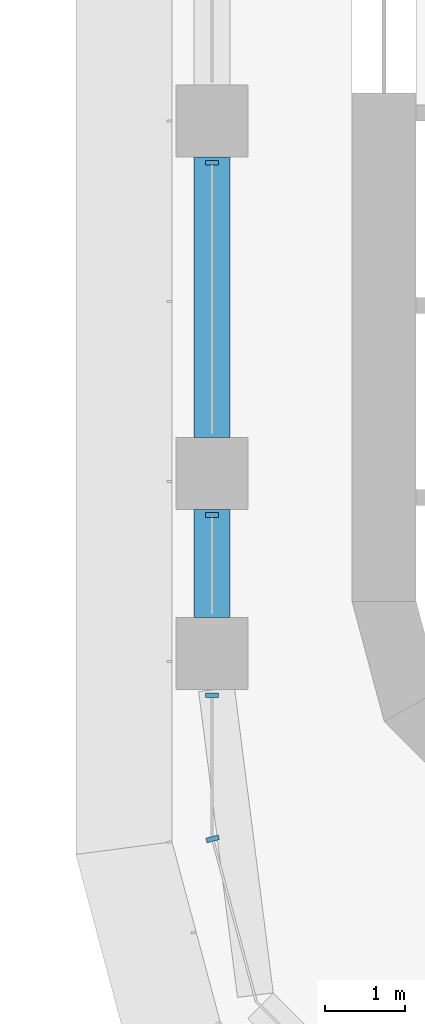
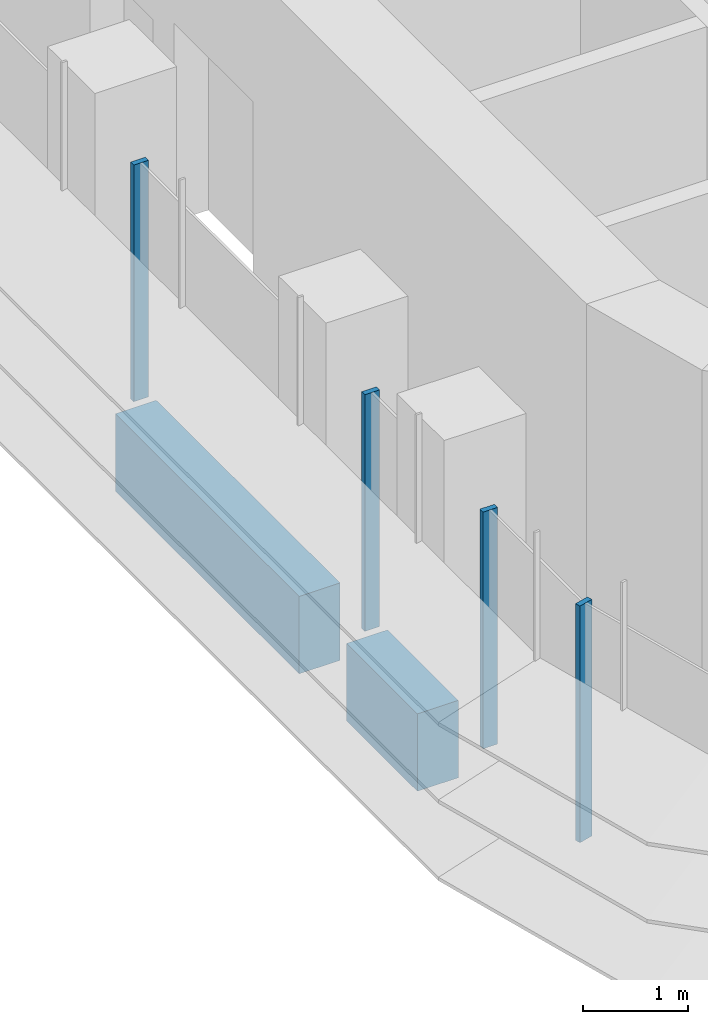
# One storey, part 2 of 22: 4 members, 2 beams, 2 elements without a shape of their own.
"""IFC4 building model written with IfcOpenShell, lengths in metres."""

from ifc_helpers import new_model, si_unit, direction, frame, origin, origin_2d, place, context, subcontext, project, spatial, polyline, rectangle, outline, extrude, source, transform, mapped, material, material_profile, profile_set, type_object, element, aggregate, save


model = new_model("IFC4")

# Units and contexts
model_context = context("Model", 3, precision=1e-05, world=origin(), true_north=direction((0.0, 1.0)))
body_context = subcontext(model_context, "Body", "Model", "MODEL_VIEW")
ifc_project = project(units=[si_unit("LENGTHUNIT", "METRE"), si_unit("AREAUNIT", "SQUARE_METRE"), si_unit("VOLUMEUNIT", "CUBIC_METRE"), si_unit("PLANEANGLEUNIT", "RADIAN"), si_unit("MASSUNIT", "GRAM", prefix="KILO")], contexts=[model_context])

# Site, building, storey
site_placement = place(None, origin())
site = spatial("IfcSite", under=ifc_project, at=site_placement, CompositionType="ELEMENT")
building_placement = place(site_placement, origin())
building = spatial("IfcBuilding", under=site, at=building_placement, Name="Zarbagh Exchange Tower", CompositionType="ELEMENT")
storey_placement = place(building_placement, frame((0.0, 0.0, 94.199951171875)))
storey = spatial("IfcBuildingStorey", under=building, at=storey_placement, Name="L21", CompositionType="ELEMENT", Elevation=94.199951171875)

# Beams
ifc_material_1 = material(Name="Concrete C60/75", Category="concrete")
ifc_material_profile = material_profile(ifc_material_1, rectangle(XDim=0.449951171875, YDim=0.89990234375, at=origin_2d()), Name="RC spandrel beam 450 x 900 C60/75")
ifc_profile_set = profile_set([ifc_material_profile], Name="Concrete C60/75")
beam_type = type_object("IfcBeamType", Name="RC spandrel beam 450 x 900 C60/75", PredefinedType="SPANDREL", material=ifc_profile_set)
beam_1_placement = place(storey_placement, frame((-6.25, -26.449951171875, -0.599853515625), z_axis=(0.0, 1.0, 0.0), x_axis=(-1.0, 0.0, 0.0)))
element("IfcBeam", 1, at=beam_1_placement, inside=storey, type_object=beam_type, Name="RC spandrel beam", PredefinedType="SPANDREL", context=body_context, shape_type="SweptSolid", body=[
    extrude(rectangle(XDim=0.449951171875, YDim=0.89990234375, at=origin_2d()), origin(), (0.0, 0.0, 1.0), 1.349853515625),
])
beam_2_placement = place(storey_placement, frame((-6.25, -24.199951171875, -0.599853515625), z_axis=(0.0, 1.0, 0.0), x_axis=(-1.0, 0.0, 0.0)))
element("IfcBeam", 2, at=beam_2_placement, inside=storey, type_object=beam_type, Name="RC spandrel beam", PredefinedType="SPANDREL", context=body_context, shape_type="SweptSolid", body=[
    extrude(rectangle(XDim=0.449951171875, YDim=0.89990234375, at=origin_2d()), origin(), (0.0, 0.0, 1.0), 3.5),
])

# Curtain wall, members
ifc_material_2 = material(Name="Anodised aluminium frame and glazing", Category="aluminium")
curtain_wall_type = type_object("IfcCurtainWallType", Name="CWA Ribbon glazing, lower zones", PredefinedType="NOTDEFINED", material=ifc_material_2)
curtain_wall_1_placement = place(storey_placement, origin())
curtain_wall_1 = element("IfcCurtainWall", 3, at=curtain_wall_1_placement, inside=storey, type_object=curtain_wall_type, Name="CWA44 curtain wall", PredefinedType="NOTDEFINED")
ifc_material_3 = material(Name="Anodised aluminium frame", Category="aluminium")
member_type = type_object("IfcMemberType", Name="MUA Mullion, anodised aluminium frame", PredefinedType="MULLION", material=ifc_material_3)
shared_shape = source(origin(), body_context, "Body", "SweptSolid", [
    extrude(outline(polyline([(0.0, -0.080078125), (0.06005859375, -0.080078125), (0.06005859375, 0.080078125), (0.0, 0.080078125), (0.0, -0.080078125)])), origin(), (0.0, 0.0, 1.0), 2.75),
])
placement = place(storey_placement, origin())
member_1 = element("IfcMember", 4, at=placement, type_object=member_type, Name="CWA44 mullion 3.1", PredefinedType="MULLION", context=body_context, shape_type="MappedRepresentation", body=[
    mapped(shared_shape, transform((-6.25, -20.739990234375, 0.0), x_axis=(0.0, -1.0, 0.0), y_axis=(1.0, 0.0, 0.0), z_axis=(0.0, 0.0, 1.0))),
])
member_2 = element("IfcMember", 5, at=placement, type_object=member_type, Name="CWA44 mullion 4.1", PredefinedType="MULLION", context=body_context, shape_type="MappedRepresentation", body=[
    mapped(shared_shape, transform((-6.25, -25.14013671875, 0.0), x_axis=(0.0, -1.0, 0.0), y_axis=(1.0, 0.0, 0.0), z_axis=(0.0, 0.0, 1.0))),
])
member_3 = element("IfcMember", 6, at=placement, type_object=member_type, Name="CWA44 mullion 5.1", PredefinedType="MULLION", context=body_context, shape_type="MappedRepresentation", body=[
    mapped(shared_shape, transform((-6.25, -27.39013671875, 0.0), x_axis=(0.0, -1.0, 0.0), y_axis=(1.0, 0.0, 0.0), z_axis=(0.0, 0.0, 1.0))),
])
aggregate(curtain_wall_1, [member_1, member_2, member_3])

# Curtain wall, member
curtain_wall_2_placement = place(storey_placement, origin())
curtain_wall_2 = element("IfcCurtainWall", 7, at=curtain_wall_2_placement, inside=storey, type_object=curtain_wall_type, Name="CWA45 curtain wall", PredefinedType="NOTDEFINED")
member_4 = element("IfcMember", 8, at=placement, type_object=member_type, Name="CWA45 mullion 1.1", PredefinedType="MULLION", context=body_context, shape_type="MappedRepresentation", body=[
    mapped(shared_shape, transform((-6.25, -29.18408203125, 0.0), x_axis=(0.258824779902, -0.965924289636, 0.0), y_axis=(0.965924289636, 0.258824779902, 0.0), z_axis=(0.0, 0.0, 1.0))),
])
aggregate(curtain_wall_2, [member_4])

save(model, "model.ifc")
